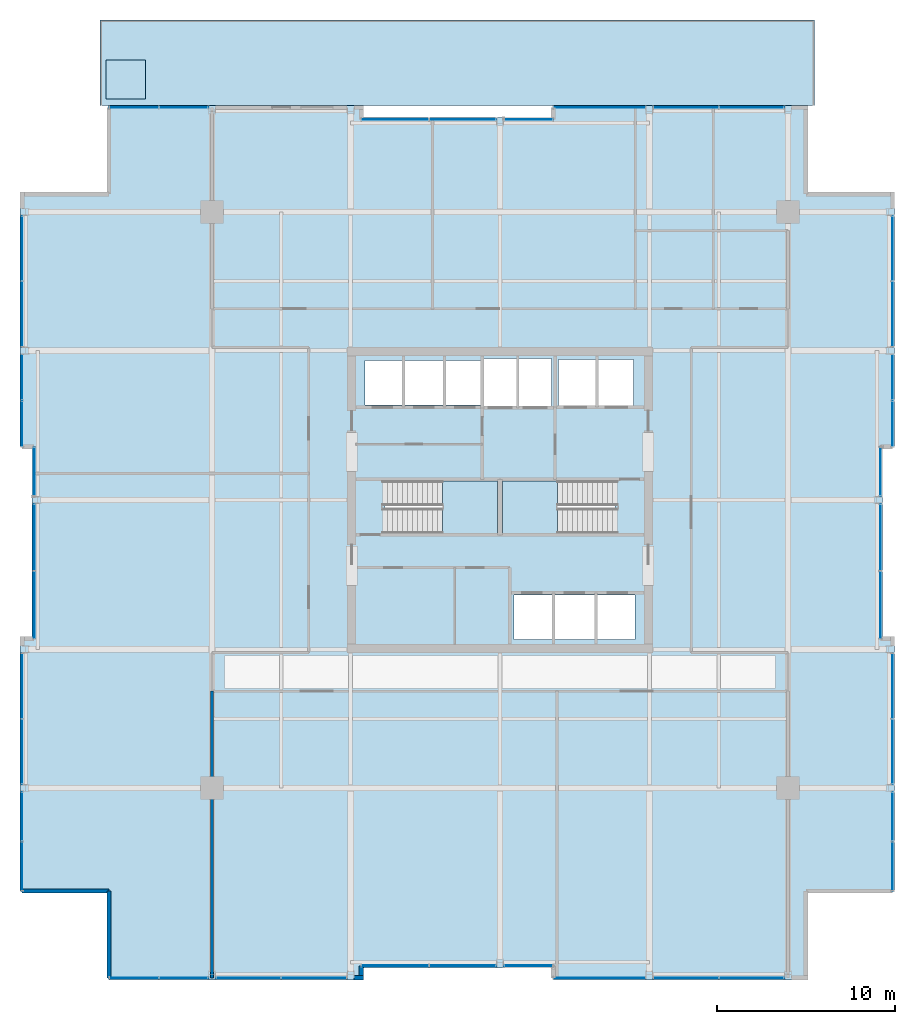
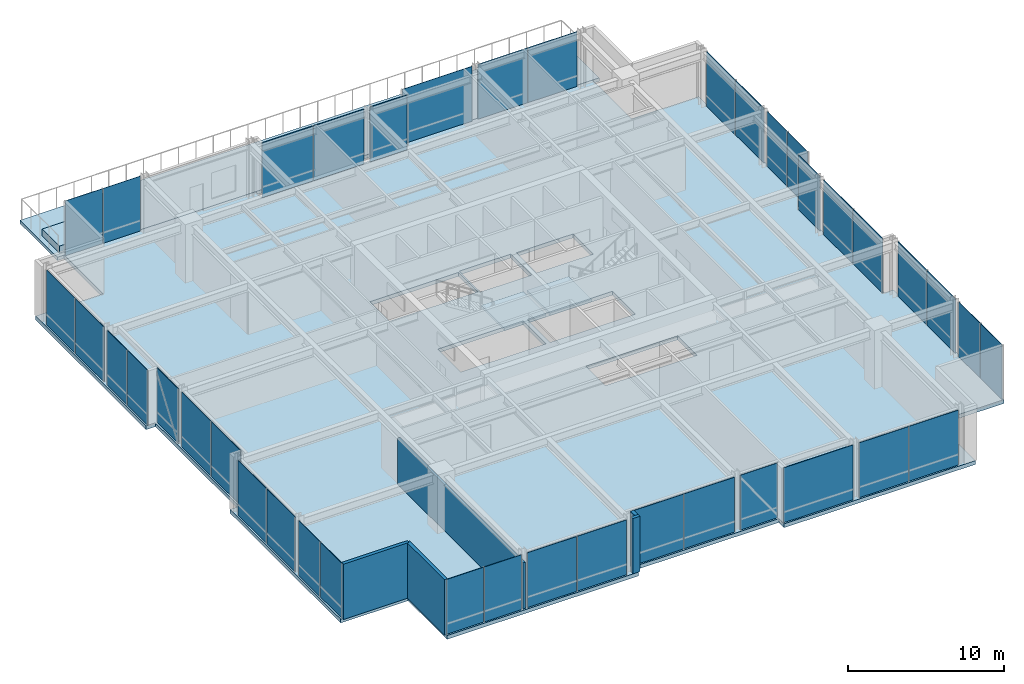
# One storey, part 26 of 32: 40 plates, 5 slabs, 5 walls, 25 elements without a shape of their own.
"""IFC4 building model written with IfcOpenShell, lengths in metres."""

from ifc_helpers import new_model, si_unit, direction, frame, frame_2d, origin, origin_2d, place, context, subcontext, project, spatial, polyline, rectangle, outline, extrude, material, layer, layer_set, type_object, element, aggregate, save


model = new_model("IFC4")

# Units and contexts
model_context = context("Model", 3, precision=1e-05, world=origin(), true_north=direction((0.0, 1.0)))
body_context = subcontext(model_context, "Body", "Model", "MODEL_VIEW")
ifc_project = project(units=[si_unit("LENGTHUNIT", "METRE"), si_unit("AREAUNIT", "SQUARE_METRE"), si_unit("VOLUMEUNIT", "CUBIC_METRE"), si_unit("PLANEANGLEUNIT", "RADIAN"), si_unit("MASSUNIT", "GRAM", prefix="KILO")], contexts=[model_context])

# Site, building, storey
site_placement = place(None, origin())
site = spatial("IfcSite", under=ifc_project, at=site_placement, CompositionType="ELEMENT")
building_placement = place(site_placement, origin())
building = spatial("IfcBuilding", under=site, at=building_placement, Name="Drelvath Grand Hotel", CompositionType="ELEMENT")
storey_placement = place(building_placement, frame((0.0, 0.0, 145.800048828125)))
storey = spatial("IfcBuildingStorey", under=building, at=storey_placement, Name="L37", CompositionType="ELEMENT", Elevation=145.800048828125)

# Slab
ifc_material_1 = material(Name="Concrete f'c 40 MPa", Category="concrete")
ifc_layer_1 = layer(ifc_material_1, 0.300048828125)
ifc_layer_set_1 = layer_set([ifc_layer_1], Name="Concrete f'c 40 MPa")
slab_type_1 = type_object("IfcSlabType", Name="Composite RC Floor Slab 300", PredefinedType="FLOOR", material=ifc_layer_set_1)
slab_1_placement = place(storey_placement, frame((0.0, 0.0, -0.300048828125)))
element("IfcSlab", 1, at=slab_1_placement, inside=storey, type_object=slab_type_1, Name="L37 Structural Floor Slab", PredefinedType="FLOOR", context=body_context, shape_type="SweptSolid", body=[
    extrude(outline(polyline([(-22.0, 0.0), (-7.800048828125, 0.0), (-7.800048828125, 0.679931640625), (3.0, 0.679931640625), (3.0, 0.0), (17.199951171875, 0.0), (17.199951171875, 5.0), (22.199951171875, 5.0), (22.199951171875, 19.199951171875), (21.52001953125, 19.199951171875), (21.52001953125, 30.0), (22.199951171875, 30.0), (22.199951171875, 44.199951171875), (17.199951171875, 44.199951171875), (17.199951171875, 49.199951171875), (3.0, 49.199951171875), (3.0, 48.52001953125), (-7.800048828125, 48.52001953125), (-7.800048828125, 49.199951171875), (-22.0, 49.199951171875), (-22.0, 44.199951171875), (-27.0, 44.199951171875), (-27.0, 30.0), (-26.320068359375, 30.0), (-26.320068359375, 19.199951171875), (-27.0, 19.199951171875), (-27.0, 5.0), (-22.0, 5.0), (-22.0, 0.0)]), holes=[polyline([(-6.47998046875, 25.1201171875), (-6.47998046875, 28.080078125), (-0.14990234375, 28.080078125), (-0.14990234375, 25.1201171875), (-6.47998046875, 25.1201171875)]), polyline([(0.14990234375, 25.1201171875), (0.14990234375, 28.080078125), (6.47998046875, 28.080078125), (6.47998046875, 25.1201171875), (0.14990234375, 25.1201171875)]), polyline([(0.800048828125, 19.14990234375), (0.800048828125, 21.64990234375), (7.60009765625, 21.64990234375), (7.60009765625, 19.14990234375), (0.800048828125, 19.14990234375)]), polyline([(-7.60009765625, 32.35009765625), (-7.60009765625, 34.85009765625), (-1.02001953125, 34.85009765625), (-1.02001953125, 32.35009765625), (-7.60009765625, 32.35009765625)]), polyline([(-0.89990234375, 32.25), (-0.89990234375, 34.949951171875), (2.89990234375, 34.949951171875), (2.89990234375, 32.25), (-0.89990234375, 32.25)]), polyline([(3.300048828125, 32.300048828125), (3.300048828125, 34.89990234375), (7.5, 34.89990234375), (7.5, 32.300048828125), (3.300048828125, 32.300048828125)])]), origin(), (0.0, 0.0, 1.0), 0.300048828125),
])

# Stair, slab
ifc_material_2 = material(Name="Concrete C40/50", Category="concrete")
stair_type = type_object("IfcStairType", Name="Dogleg Exit Stair W1400-R176.9", PredefinedType="HALF_TURN_STAIR", material=ifc_material_2)
stair_1_placement = place(storey_placement, origin())
stair_1 = element("IfcStair", 2, at=stair_1_placement, inside=storey, type_object=stair_type, Name="L37 Core Exit Stair ST-1", PredefinedType="HALF_TURN_STAIR")
ifc_layer_2 = layer(ifc_material_2, 0.199951171875)
ifc_layer_set_2 = layer_set([ifc_layer_2], Name="Concrete C40/50")
slab_type_2 = type_object("IfcSlabType", Name="Concrete Stair Landing Slab 200", PredefinedType="LANDING", material=ifc_layer_set_2)
slab_2_placement = place(storey_placement, frame((0.0, 0.0, 2.099853515625)))
slab_2 = element("IfcSlab", 3, at=slab_2_placement, type_object=slab_type_2, Name="ST-1 landing 1", PredefinedType="LANDING", context=body_context, shape_type="SweptSolid", body=[
    extrude(outline(polyline([(-3.239990234375, 25.1201171875), (-0.14990234375, 25.1201171875), (-0.14990234375, 28.080078125), (-3.239990234375, 28.080078125), (-3.239990234375, 25.1201171875)])), origin(), (0.0, 0.0, 1.0), 0.2001953125),
])
aggregate(stair_1, [slab_2])

stair_2_placement = place(storey_placement, origin())
stair_2 = element("IfcStair", 4, at=stair_2_placement, inside=storey, type_object=stair_type, Name="L37 Core Exit Stair ST-2", PredefinedType="HALF_TURN_STAIR")
slab_3_placement = place(storey_placement, frame((0.0, 0.0, 2.099853515625)))
slab_3 = element("IfcSlab", 5, at=slab_3_placement, type_object=slab_type_2, Name="ST-2 landing 1", PredefinedType="LANDING", context=body_context, shape_type="SweptSolid", body=[
    extrude(outline(polyline([(3.239990234375, 28.080078125), (0.14990234375, 28.080078125), (0.14990234375, 25.1201171875), (3.239990234375, 25.1201171875), (3.239990234375, 28.080078125)])), origin(), (0.0, 0.0, 1.0), 0.2001953125),
])
aggregate(stair_2, [slab_3])

# Curtain wall, plates
ifc_material_3 = material(Name="Brushed Pale-Silver Anodised Aluminium Frame", Category="aluminium")
ifc_layer_3 = layer(ifc_material_3, 0.199951171875)
ifc_layer_set_3 = layer_set([ifc_layer_3], Name="Brushed Pale-Silver Anodised Aluminium Frame")
curtain_wall_type = type_object("IfcCurtainWallType", Name="Stick Curtain Wall CW-04 Brushed Silver Upper-Mid", PredefinedType="NOTDEFINED", material=ifc_layer_set_3)
curtain_wall_1_placement = place(storey_placement, origin())
curtain_wall_1 = element("IfcCurtainWall", 6, at=curtain_wall_1_placement, inside=storey, type_object=curtain_wall_type, Name="L37 CW-04 Curtain Wall CW04-L37-WS1", PredefinedType="NOTDEFINED")
ifc_material_4 = material(Name="Low-E Triple Silver Vision Glass Cool", Category="glass")
ifc_layer_4 = layer(ifc_material_4, 0.035888671875)
ifc_layer_set_4 = layer_set([ifc_layer_4], Name="Low-E Triple Silver Vision Glass Cool")
plate_type = type_object("IfcPlateType", Name="Curtain Wall Vision Panel CW-04 36mm", PredefinedType="CURTAIN_PANEL", material=ifc_layer_set_4)
plate_1_placement = place(storey_placement, frame((-26.8798828125, 6.39990234375, 0.02001953125), z_axis=(0.0, 0.0, 1.0), x_axis=(0.0, 1.0, 0.0)))
plate_1 = element("IfcPlate", 7, at=plate_1_placement, type_object=plate_type, Name="CW04-L37-WS1 Glazed Panel 1", PredefinedType="CURTAIN_PANEL", context=body_context, shape_type="SweptSolid", body=[
    extrude(rectangle(XDim=2.760009765625, YDim=0.035888671875, at=origin_2d()), origin(), (0.0, 0.0, 1.0), 4.300048828125),
])
plate_2_placement = place(storey_placement, frame((-26.8798828125, 9.199951171875, 0.02001953125), z_axis=(0.0, 0.0, 1.0), x_axis=(0.0, 1.0, 0.0)))
plate_2 = element("IfcPlate", 8, at=plate_2_placement, type_object=plate_type, Name="CW04-L37-WS1 Glazed Panel 2", PredefinedType="CURTAIN_PANEL", context=body_context, shape_type="SweptSolid", body=[
    extrude(rectangle(XDim=2.760009765625, YDim=0.035888671875, at=origin_2d()), origin(), (0.0, 0.0, 1.0), 4.300048828125),
])
aggregate(curtain_wall_1, [plate_1, plate_2])

curtain_wall_2_placement = place(storey_placement, origin())
curtain_wall_2 = element("IfcCurtainWall", 9, at=curtain_wall_2_placement, inside=storey, type_object=curtain_wall_type, Name="L37 CW-04 Curtain Wall CW04-L37-WS2", PredefinedType="NOTDEFINED")
plate_3_placement = place(storey_placement, frame((-26.8798828125, 12.85009765625, 0.02001953125), z_axis=(0.0, 0.0, 1.0), x_axis=(0.0, 1.0, 0.0)))
plate_3 = element("IfcPlate", 10, at=plate_3_placement, type_object=plate_type, Name="CW04-L37-WS2 Glazed Panel 1", PredefinedType="CURTAIN_PANEL", context=body_context, shape_type="SweptSolid", body=[
    extrude(rectangle(XDim=3.659912109375, YDim=0.035888671875, at=origin_2d()), origin(), (0.0, 0.0, 1.0), 4.300048828125),
])
plate_4_placement = place(storey_placement, frame((-26.8798828125, 16.550048828125, 0.02001953125), z_axis=(0.0, 0.0, 1.0), x_axis=(0.0, 1.0, 0.0)))
plate_4 = element("IfcPlate", 11, at=plate_4_placement, type_object=plate_type, Name="CW04-L37-WS2 Glazed Panel 2", PredefinedType="CURTAIN_PANEL", context=body_context, shape_type="SweptSolid", body=[
    extrude(rectangle(XDim=3.659912109375, YDim=0.035888671875, at=origin_2d()), origin(), (0.0, 0.0, 1.0), 4.300048828125),
])
aggregate(curtain_wall_2, [plate_3, plate_4])

curtain_wall_3_placement = place(storey_placement, origin())
curtain_wall_3 = element("IfcCurtainWall", 12, at=curtain_wall_3_placement, inside=storey, type_object=curtain_wall_type, Name="L37 CW-04 Curtain Wall CW04-L37-WM1", PredefinedType="NOTDEFINED")
plate_5_placement = place(storey_placement, frame((-26.199951171875, 21.099853515625, 0.02001953125), z_axis=(0.0, 0.0, 1.0), x_axis=(0.0, 1.0, 0.0)))
plate_5 = element("IfcPlate", 13, at=plate_5_placement, type_object=plate_type, Name="CW04-L37-WM1 Glazed Panel 1", PredefinedType="CURTAIN_PANEL", context=body_context, shape_type="SweptSolid", body=[
    extrude(rectangle(XDim=3.760009765625, YDim=0.035888671875, at=origin_2d()), origin(), (0.0, 0.0, 1.0), 4.300048828125),
])
plate_6_placement = place(storey_placement, frame((-26.199951171875, 24.89990234375, 0.02001953125), z_axis=(0.0, 0.0, 1.0), x_axis=(0.0, 1.0, 0.0)))
plate_6 = element("IfcPlate", 14, at=plate_6_placement, type_object=plate_type, Name="CW04-L37-WM1 Glazed Panel 2", PredefinedType="CURTAIN_PANEL", context=body_context, shape_type="SweptSolid", body=[
    extrude(rectangle(XDim=3.760009765625, YDim=0.035888671875, at=origin_2d()), origin(), (0.0, 0.0, 1.0), 4.300048828125),
])
aggregate(curtain_wall_3, [plate_5, plate_6])

# Curtain wall, plate
curtain_wall_4_placement = place(storey_placement, origin())
curtain_wall_4 = element("IfcCurtainWall", 15, at=curtain_wall_4_placement, inside=storey, type_object=curtain_wall_type, Name="L37 CW-04 Curtain Wall CW04-L37-WM2", PredefinedType="NOTDEFINED")
plate_7_placement = place(storey_placement, frame((-26.199951171875, 28.60009765625, 0.02001953125), z_axis=(0.0, 0.0, 1.0), x_axis=(0.0, 1.0, 0.0)))
plate_7 = element("IfcPlate", 16, at=plate_7_placement, type_object=plate_type, Name="CW04-L37-WM2 Glazed Panel 1", PredefinedType="CURTAIN_PANEL", context=body_context, shape_type="SweptSolid", body=[
    extrude(rectangle(XDim=2.760009765625, YDim=0.035888671875, at=origin_2d()), origin(), (0.0, 0.0, 1.0), 4.300048828125),
])
aggregate(curtain_wall_4, [plate_7])

# Curtain wall, plates
curtain_wall_5_placement = place(storey_placement, origin())
curtain_wall_5 = element("IfcCurtainWall", 17, at=curtain_wall_5_placement, inside=storey, type_object=curtain_wall_type, Name="L37 CW-04 Curtain Wall CW04-L37-WN1", PredefinedType="NOTDEFINED")
plate_8_placement = place(storey_placement, frame((-26.8798828125, 31.300048828125, 0.02001953125), z_axis=(0.0, 0.0, 1.0), x_axis=(0.0, 1.0, 0.0)))
plate_8 = element("IfcPlate", 18, at=plate_8_placement, type_object=plate_type, Name="CW04-L37-WN1 Glazed Panel 1", PredefinedType="CURTAIN_PANEL", context=body_context, shape_type="SweptSolid", body=[
    extrude(rectangle(XDim=2.56005859375, YDim=0.035888671875, at=origin_2d()), origin(), (0.0, 0.0, 1.0), 4.300048828125),
])
plate_9_placement = place(storey_placement, frame((-26.8798828125, 33.89990234375, 0.02001953125), z_axis=(0.0, 0.0, 1.0), x_axis=(0.0, 1.0, 0.0)))
plate_9 = element("IfcPlate", 19, at=plate_9_placement, type_object=plate_type, Name="CW04-L37-WN1 Glazed Panel 2", PredefinedType="CURTAIN_PANEL", context=body_context, shape_type="SweptSolid", body=[
    extrude(rectangle(XDim=2.56005859375, YDim=0.035888671875, at=origin_2d()), origin(), (0.0, 0.0, 1.0), 4.300048828125),
])
aggregate(curtain_wall_5, [plate_8, plate_9])

curtain_wall_6_placement = place(storey_placement, origin())
curtain_wall_6 = element("IfcCurtainWall", 20, at=curtain_wall_6_placement, inside=storey, type_object=curtain_wall_type, Name="L37 CW-04 Curtain Wall CW04-L37-WN2", PredefinedType="NOTDEFINED")
plate_10_placement = place(storey_placement, frame((-26.8798828125, 37.449951171875, 0.02001953125), z_axis=(0.0, 0.0, 1.0), x_axis=(0.0, 1.0, 0.0)))
plate_10 = element("IfcPlate", 21, at=plate_10_placement, type_object=plate_type, Name="CW04-L37-WN2 Glazed Panel 1", PredefinedType="CURTAIN_PANEL", context=body_context, shape_type="SweptSolid", body=[
    extrude(rectangle(XDim=3.659912109375, YDim=0.035888671875, at=origin_2d()), origin(), (0.0, 0.0, 1.0), 4.300048828125),
])
plate_11_placement = place(storey_placement, frame((-26.8798828125, 41.14990234375, 0.02001953125), z_axis=(0.0, 0.0, 1.0), x_axis=(0.0, 1.0, 0.0)))
plate_11 = element("IfcPlate", 22, at=plate_11_placement, type_object=plate_type, Name="CW04-L37-WN2 Glazed Panel 2", PredefinedType="CURTAIN_PANEL", context=body_context, shape_type="SweptSolid", body=[
    extrude(rectangle(XDim=3.659912109375, YDim=0.035888671875, at=origin_2d()), origin(), (0.0, 0.0, 1.0), 4.300048828125),
])
aggregate(curtain_wall_6, [plate_10, plate_11])

curtain_wall_7_placement = place(storey_placement, origin())
curtain_wall_7 = element("IfcCurtainWall", 23, at=curtain_wall_7_placement, inside=storey, type_object=curtain_wall_type, Name="L37 CW-04 Curtain Wall CW04-L37-EN1", PredefinedType="NOTDEFINED")
plate_12_placement = place(storey_placement, frame((22.080078125, 33.89990234375, 0.02001953125), z_axis=(0.0, 0.0, 1.0), x_axis=(0.0, -1.0, 0.0)))
plate_12 = element("IfcPlate", 24, at=plate_12_placement, type_object=plate_type, Name="CW04-L37-EN1 Glazed Panel 1", PredefinedType="CURTAIN_PANEL", context=body_context, shape_type="SweptSolid", body=[
    extrude(rectangle(XDim=2.56005859375, YDim=0.035888671875, at=origin_2d()), origin(), (0.0, 0.0, 1.0), 4.300048828125),
])
plate_13_placement = place(storey_placement, frame((22.080078125, 31.300048828125, 0.02001953125), z_axis=(0.0, 0.0, 1.0), x_axis=(0.0, -1.0, 0.0)))
plate_13 = element("IfcPlate", 25, at=plate_13_placement, type_object=plate_type, Name="CW04-L37-EN1 Glazed Panel 2", PredefinedType="CURTAIN_PANEL", context=body_context, shape_type="SweptSolid", body=[
    extrude(rectangle(XDim=2.56005859375, YDim=0.035888671875, at=origin_2d()), origin(), (0.0, 0.0, 1.0), 4.300048828125),
])
aggregate(curtain_wall_7, [plate_12, plate_13])

curtain_wall_8_placement = place(storey_placement, origin())
curtain_wall_8 = element("IfcCurtainWall", 26, at=curtain_wall_8_placement, inside=storey, type_object=curtain_wall_type, Name="L37 CW-04 Curtain Wall CW04-L37-EN2", PredefinedType="NOTDEFINED")
plate_14_placement = place(storey_placement, frame((22.080078125, 41.14990234375, 0.02001953125), z_axis=(0.0, 0.0, 1.0), x_axis=(0.0, -1.0, 0.0)))
plate_14 = element("IfcPlate", 27, at=plate_14_placement, type_object=plate_type, Name="CW04-L37-EN2 Glazed Panel 1", PredefinedType="CURTAIN_PANEL", context=body_context, shape_type="SweptSolid", body=[
    extrude(rectangle(XDim=3.659912109375, YDim=0.035888671875, at=origin_2d()), origin(), (0.0, 0.0, 1.0), 4.300048828125),
])
plate_15_placement = place(storey_placement, frame((22.080078125, 37.449951171875, 0.02001953125), z_axis=(0.0, 0.0, 1.0), x_axis=(0.0, -1.0, 0.0)))
plate_15 = element("IfcPlate", 28, at=plate_15_placement, type_object=plate_type, Name="CW04-L37-EN2 Glazed Panel 2", PredefinedType="CURTAIN_PANEL", context=body_context, shape_type="SweptSolid", body=[
    extrude(rectangle(XDim=3.659912109375, YDim=0.035888671875, at=origin_2d()), origin(), (0.0, 0.0, 1.0), 4.300048828125),
])
aggregate(curtain_wall_8, [plate_14, plate_15])

curtain_wall_9_placement = place(storey_placement, origin())
curtain_wall_9 = element("IfcCurtainWall", 29, at=curtain_wall_9_placement, inside=storey, type_object=curtain_wall_type, Name="L37 CW-04 Curtain Wall CW04-L37-EM1", PredefinedType="NOTDEFINED")
plate_16_placement = place(storey_placement, frame((21.39990234375, 24.89990234375, 0.02001953125), z_axis=(0.0, 0.0, 1.0), x_axis=(0.0, -1.0, 0.0)))
plate_16 = element("IfcPlate", 30, at=plate_16_placement, type_object=plate_type, Name="CW04-L37-EM1 Glazed Panel 1", PredefinedType="CURTAIN_PANEL", context=body_context, shape_type="SweptSolid", body=[
    extrude(rectangle(XDim=3.760009765625, YDim=0.035888671875, at=origin_2d()), origin(), (0.0, 0.0, 1.0), 4.300048828125),
])
plate_17_placement = place(storey_placement, frame((21.39990234375, 21.099853515625, 0.02001953125), z_axis=(0.0, 0.0, 1.0), x_axis=(0.0, -1.0, 0.0)))
plate_17 = element("IfcPlate", 31, at=plate_17_placement, type_object=plate_type, Name="CW04-L37-EM1 Glazed Panel 2", PredefinedType="CURTAIN_PANEL", context=body_context, shape_type="SweptSolid", body=[
    extrude(rectangle(XDim=3.760009765625, YDim=0.035888671875, at=origin_2d()), origin(), (0.0, 0.0, 1.0), 4.300048828125),
])
aggregate(curtain_wall_9, [plate_16, plate_17])

# Curtain wall, plate
curtain_wall_10_placement = place(storey_placement, origin())
curtain_wall_10 = element("IfcCurtainWall", 32, at=curtain_wall_10_placement, inside=storey, type_object=curtain_wall_type, Name="L37 CW-04 Curtain Wall CW04-L37-EM2", PredefinedType="NOTDEFINED")
plate_18_placement = place(storey_placement, frame((21.39990234375, 28.60009765625, 0.02001953125), z_axis=(0.0, 0.0, 1.0), x_axis=(0.0, -1.0, 0.0)))
plate_18 = element("IfcPlate", 33, at=plate_18_placement, type_object=plate_type, Name="CW04-L37-EM2 Glazed Panel 1", PredefinedType="CURTAIN_PANEL", context=body_context, shape_type="SweptSolid", body=[
    extrude(rectangle(XDim=2.760009765625, YDim=0.035888671875, at=origin_2d()), origin(), (0.0, 0.0, 1.0), 4.300048828125),
])
aggregate(curtain_wall_10, [plate_18])

# Curtain wall, plates
curtain_wall_11_placement = place(storey_placement, origin())
curtain_wall_11 = element("IfcCurtainWall", 34, at=curtain_wall_11_placement, inside=storey, type_object=curtain_wall_type, Name="L37 CW-04 Curtain Wall CW04-L37-ES1", PredefinedType="NOTDEFINED")
plate_19_placement = place(storey_placement, frame((22.080078125, 9.199951171875, 0.02001953125), z_axis=(0.0, 0.0, 1.0), x_axis=(0.0, -1.0, 0.0)))
plate_19 = element("IfcPlate", 35, at=plate_19_placement, type_object=plate_type, Name="CW04-L37-ES1 Glazed Panel 1", PredefinedType="CURTAIN_PANEL", context=body_context, shape_type="SweptSolid", body=[
    extrude(rectangle(XDim=2.760009765625, YDim=0.035888671875, at=origin_2d()), origin(), (0.0, 0.0, 1.0), 4.300048828125),
])
plate_20_placement = place(storey_placement, frame((22.080078125, 6.39990234375, 0.02001953125), z_axis=(0.0, 0.0, 1.0), x_axis=(0.0, -1.0, 0.0)))
plate_20 = element("IfcPlate", 36, at=plate_20_placement, type_object=plate_type, Name="CW04-L37-ES1 Glazed Panel 2", PredefinedType="CURTAIN_PANEL", context=body_context, shape_type="SweptSolid", body=[
    extrude(rectangle(XDim=2.760009765625, YDim=0.035888671875, at=origin_2d()), origin(), (0.0, 0.0, 1.0), 4.300048828125),
])
aggregate(curtain_wall_11, [plate_19, plate_20])

curtain_wall_12_placement = place(storey_placement, origin())
curtain_wall_12 = element("IfcCurtainWall", 37, at=curtain_wall_12_placement, inside=storey, type_object=curtain_wall_type, Name="L37 CW-04 Curtain Wall CW04-L37-ES2", PredefinedType="NOTDEFINED")
plate_21_placement = place(storey_placement, frame((22.080078125, 16.550048828125, 0.02001953125), z_axis=(0.0, 0.0, 1.0), x_axis=(0.0, -1.0, 0.0)))
plate_21 = element("IfcPlate", 38, at=plate_21_placement, type_object=plate_type, Name="CW04-L37-ES2 Glazed Panel 1", PredefinedType="CURTAIN_PANEL", context=body_context, shape_type="SweptSolid", body=[
    extrude(rectangle(XDim=3.659912109375, YDim=0.035888671875, at=origin_2d()), origin(), (0.0, 0.0, 1.0), 4.300048828125),
])
plate_22_placement = place(storey_placement, frame((22.080078125, 12.85009765625, 0.02001953125), z_axis=(0.0, 0.0, 1.0), x_axis=(0.0, -1.0, 0.0)))
plate_22 = element("IfcPlate", 39, at=plate_22_placement, type_object=plate_type, Name="CW04-L37-ES2 Glazed Panel 2", PredefinedType="CURTAIN_PANEL", context=body_context, shape_type="SweptSolid", body=[
    extrude(rectangle(XDim=3.659912109375, YDim=0.035888671875, at=origin_2d()), origin(), (0.0, 0.0, 1.0), 4.300048828125),
])
aggregate(curtain_wall_12, [plate_21, plate_22])

curtain_wall_13_placement = place(storey_placement, origin())
curtain_wall_13 = element("IfcCurtainWall", 40, at=curtain_wall_13_placement, inside=storey, type_object=curtain_wall_type, Name="L37 CW-04 Curtain Wall CW04-L37-NW1", PredefinedType="NOTDEFINED")
plate_23_placement = place(storey_placement, frame((-20.60009765625, 49.080078125, 0.02001953125), z_axis=(0.0, 0.0, 1.0), x_axis=(1.0, 0.0, 0.0)))
plate_23 = element("IfcPlate", 41, at=plate_23_placement, type_object=plate_type, Name="CW04-L37-NW1 Glazed Panel 1", PredefinedType="CURTAIN_PANEL", context=body_context, shape_type="SweptSolid", body=[
    extrude(rectangle(XDim=2.760009765625, YDim=0.035888671875, at=origin_2d()), origin(), (0.0, 0.0, 1.0), 4.300048828125),
])
plate_24_placement = place(storey_placement, frame((-17.800048828125, 49.080078125, 0.02001953125), z_axis=(0.0, 0.0, 1.0), x_axis=(1.0, 0.0, 0.0)))
plate_24 = element("IfcPlate", 42, at=plate_24_placement, type_object=plate_type, Name="CW04-L37-NW1 Glazed Panel 2", PredefinedType="CURTAIN_PANEL", context=body_context, shape_type="SweptSolid", body=[
    extrude(rectangle(XDim=2.760009765625, YDim=0.035888671875, at=origin_2d()), origin(), (0.0, 0.0, 1.0), 4.300048828125),
])
aggregate(curtain_wall_13, [plate_23, plate_24])

curtain_wall_14_placement = place(storey_placement, origin())
curtain_wall_14 = element("IfcCurtainWall", 43, at=curtain_wall_14_placement, inside=storey, type_object=curtain_wall_type, Name="L37 CW-04 Curtain Wall CW04-L37-NM1", PredefinedType="NOTDEFINED")
plate_25_placement = place(storey_placement, frame((-5.89990234375, 48.39990234375, 0.02001953125), z_axis=(0.0, 0.0, 1.0), x_axis=(1.0, 0.0, 0.0)))
plate_25 = element("IfcPlate", 44, at=plate_25_placement, type_object=plate_type, Name="CW04-L37-NM1 Glazed Panel 1", PredefinedType="CURTAIN_PANEL", context=body_context, shape_type="SweptSolid", body=[
    extrude(rectangle(XDim=3.760009765625, YDim=0.035888671875, at=origin_2d()), origin(), (0.0, 0.0, 1.0), 4.300048828125),
])
plate_26_placement = place(storey_placement, frame((-2.10009765625, 48.39990234375, 0.02001953125), z_axis=(0.0, 0.0, 1.0), x_axis=(1.0, 0.0, 0.0)))
plate_26 = element("IfcPlate", 45, at=plate_26_placement, type_object=plate_type, Name="CW04-L37-NM1 Glazed Panel 2", PredefinedType="CURTAIN_PANEL", context=body_context, shape_type="SweptSolid", body=[
    extrude(rectangle(XDim=3.760009765625, YDim=0.035888671875, at=origin_2d()), origin(), (0.0, 0.0, 1.0), 4.300048828125),
])
aggregate(curtain_wall_14, [plate_25, plate_26])

# Curtain wall, plate
curtain_wall_15_placement = place(storey_placement, origin())
curtain_wall_15 = element("IfcCurtainWall", 46, at=curtain_wall_15_placement, inside=storey, type_object=curtain_wall_type, Name="L37 CW-04 Curtain Wall CW04-L37-NM2", PredefinedType="NOTDEFINED")
plate_27_placement = place(storey_placement, frame((1.60009765625, 48.39990234375, 0.02001953125), z_axis=(0.0, 0.0, 1.0), x_axis=(1.0, 0.0, 0.0)))
plate_27 = element("IfcPlate", 47, at=plate_27_placement, type_object=plate_type, Name="CW04-L37-NM2 Glazed Panel 1", PredefinedType="CURTAIN_PANEL", context=body_context, shape_type="SweptSolid", body=[
    extrude(rectangle(XDim=2.760009765625, YDim=0.035888671875, at=origin_2d()), origin(), (0.0, 0.0, 1.0), 4.300048828125),
])
aggregate(curtain_wall_15, [plate_27])

curtain_wall_16_placement = place(storey_placement, origin())
curtain_wall_16 = element("IfcCurtainWall", 48, at=curtain_wall_16_placement, inside=storey, type_object=curtain_wall_type, Name="L37 CW-04 Curtain Wall CW04-L37-NE1", PredefinedType="NOTDEFINED")
plate_28_placement = place(storey_placement, frame((5.599853515625, 49.080078125, 0.02001953125), z_axis=(0.0, 0.0, 1.0), x_axis=(1.0, 0.0, 0.0)))
plate_28 = element("IfcPlate", 49, at=plate_28_placement, type_object=plate_type, Name="CW04-L37-NE1 Glazed Panel 1", PredefinedType="CURTAIN_PANEL", context=body_context, shape_type="SweptSolid", body=[
    extrude(rectangle(XDim=5.159912109375, YDim=0.035888671875, at=origin_2d()), origin(), (0.0, 0.0, 1.0), 4.300048828125),
])
aggregate(curtain_wall_16, [plate_28])

# Curtain wall, plates
curtain_wall_17_placement = place(storey_placement, origin())
curtain_wall_17 = element("IfcCurtainWall", 50, at=curtain_wall_17_placement, inside=storey, type_object=curtain_wall_type, Name="L37 CW-04 Curtain Wall CW04-L37-NE2", PredefinedType="NOTDEFINED")
plate_29_placement = place(storey_placement, frame((10.4501953125, 49.080078125, 0.02001953125), z_axis=(0.0, 0.0, 1.0), x_axis=(1.0, 0.0, 0.0)))
plate_29 = element("IfcPlate", 51, at=plate_29_placement, type_object=plate_type, Name="CW04-L37-NE2 Glazed Panel 1", PredefinedType="CURTAIN_PANEL", context=body_context, shape_type="SweptSolid", body=[
    extrude(rectangle(XDim=3.659912109375, YDim=0.035888671875, at=origin_2d()), origin(), (0.0, 0.0, 1.0), 4.300048828125),
])
plate_30_placement = place(storey_placement, frame((14.14990234375, 49.080078125, 0.02001953125), z_axis=(0.0, 0.0, 1.0), x_axis=(1.0, 0.0, 0.0)))
plate_30 = element("IfcPlate", 52, at=plate_30_placement, type_object=plate_type, Name="CW04-L37-NE2 Glazed Panel 2", PredefinedType="CURTAIN_PANEL", context=body_context, shape_type="SweptSolid", body=[
    extrude(rectangle(XDim=3.659912109375, YDim=0.035888671875, at=origin_2d()), origin(), (0.0, 0.0, 1.0), 4.300048828125),
])
aggregate(curtain_wall_17, [plate_29, plate_30])

# Curtain wall, plate
curtain_wall_18_placement = place(storey_placement, origin())
curtain_wall_18 = element("IfcCurtainWall", 53, at=curtain_wall_18_placement, inside=storey, type_object=curtain_wall_type, Name="L37 CW-04 Curtain Wall CW04-L37-SE1", PredefinedType="NOTDEFINED")
plate_31_placement = place(storey_placement, frame((5.599853515625, 0.1201171875, 0.02001953125), z_axis=(0.0, 0.0, 1.0), x_axis=(-1.0, 0.0, 0.0)))
plate_31 = element("IfcPlate", 54, at=plate_31_placement, type_object=plate_type, Name="CW04-L37-SE1 Glazed Panel 1", PredefinedType="CURTAIN_PANEL", context=body_context, shape_type="SweptSolid", body=[
    extrude(rectangle(XDim=5.159912109375, YDim=0.035888671875, at=origin_2d()), origin(), (0.0, 0.0, 1.0), 4.300048828125),
])
aggregate(curtain_wall_18, [plate_31])

# Curtain wall, plates
curtain_wall_19_placement = place(storey_placement, origin())
curtain_wall_19 = element("IfcCurtainWall", 55, at=curtain_wall_19_placement, inside=storey, type_object=curtain_wall_type, Name="L37 CW-04 Curtain Wall CW04-L37-SE2", PredefinedType="NOTDEFINED")
plate_32_placement = place(storey_placement, frame((14.14990234375, 0.1201171875, 0.02001953125), z_axis=(0.0, 0.0, 1.0), x_axis=(-1.0, 0.0, 0.0)))
plate_32 = element("IfcPlate", 56, at=plate_32_placement, type_object=plate_type, Name="CW04-L37-SE2 Glazed Panel 1", PredefinedType="CURTAIN_PANEL", context=body_context, shape_type="SweptSolid", body=[
    extrude(rectangle(XDim=3.659912109375, YDim=0.035888671875, at=origin_2d()), origin(), (0.0, 0.0, 1.0), 4.300048828125),
])
plate_33_placement = place(storey_placement, frame((10.4501953125, 0.1201171875, 0.02001953125), z_axis=(0.0, 0.0, 1.0), x_axis=(-1.0, 0.0, 0.0)))
plate_33 = element("IfcPlate", 57, at=plate_33_placement, type_object=plate_type, Name="CW04-L37-SE2 Glazed Panel 2", PredefinedType="CURTAIN_PANEL", context=body_context, shape_type="SweptSolid", body=[
    extrude(rectangle(XDim=3.659912109375, YDim=0.035888671875, at=origin_2d()), origin(), (0.0, 0.0, 1.0), 4.300048828125),
])
aggregate(curtain_wall_19, [plate_32, plate_33])

curtain_wall_20_placement = place(storey_placement, origin())
curtain_wall_20 = element("IfcCurtainWall", 58, at=curtain_wall_20_placement, inside=storey, type_object=curtain_wall_type, Name="L37 CW-04 Curtain Wall CW04-L37-SM1", PredefinedType="NOTDEFINED")
plate_34_placement = place(storey_placement, frame((-2.10009765625, 0.800048828125, 0.02001953125), z_axis=(0.0, 0.0, 1.0), x_axis=(-1.0, 0.0, 0.0)))
plate_34 = element("IfcPlate", 59, at=plate_34_placement, type_object=plate_type, Name="CW04-L37-SM1 Glazed Panel 1", PredefinedType="CURTAIN_PANEL", context=body_context, shape_type="SweptSolid", body=[
    extrude(rectangle(XDim=3.760009765625, YDim=0.035888671875, at=origin_2d()), origin(), (0.0, 0.0, 1.0), 4.300048828125),
])
plate_35_placement = place(storey_placement, frame((-5.89990234375, 0.800048828125, 0.02001953125), z_axis=(0.0, 0.0, 1.0), x_axis=(-1.0, 0.0, 0.0)))
plate_35 = element("IfcPlate", 60, at=plate_35_placement, type_object=plate_type, Name="CW04-L37-SM1 Glazed Panel 2", PredefinedType="CURTAIN_PANEL", context=body_context, shape_type="SweptSolid", body=[
    extrude(rectangle(XDim=3.760009765625, YDim=0.035888671875, at=origin_2d()), origin(), (0.0, 0.0, 1.0), 4.300048828125),
])
aggregate(curtain_wall_20, [plate_34, plate_35])

# Curtain wall, plate
curtain_wall_21_placement = place(storey_placement, origin())
curtain_wall_21 = element("IfcCurtainWall", 61, at=curtain_wall_21_placement, inside=storey, type_object=curtain_wall_type, Name="L37 CW-04 Curtain Wall CW04-L37-SM2", PredefinedType="NOTDEFINED")
plate_36_placement = place(storey_placement, frame((1.60009765625, 0.800048828125, 0.02001953125), z_axis=(0.0, 0.0, 1.0), x_axis=(-1.0, 0.0, 0.0)))
plate_36 = element("IfcPlate", 62, at=plate_36_placement, type_object=plate_type, Name="CW04-L37-SM2 Glazed Panel 1", PredefinedType="CURTAIN_PANEL", context=body_context, shape_type="SweptSolid", body=[
    extrude(rectangle(XDim=2.760009765625, YDim=0.035888671875, at=origin_2d()), origin(), (0.0, 0.0, 1.0), 4.300048828125),
])
aggregate(curtain_wall_21, [plate_36])

# Curtain wall, plates
curtain_wall_22_placement = place(storey_placement, origin())
curtain_wall_22 = element("IfcCurtainWall", 63, at=curtain_wall_22_placement, inside=storey, type_object=curtain_wall_type, Name="L37 CW-04 Curtain Wall CW04-L37-SW1", PredefinedType="NOTDEFINED")
plate_37_placement = place(storey_placement, frame((-17.800048828125, 0.1201171875, 0.02001953125), z_axis=(0.0, 0.0, 1.0), x_axis=(-1.0, 0.0, 0.0)))
plate_37 = element("IfcPlate", 64, at=plate_37_placement, type_object=plate_type, Name="CW04-L37-SW1 Glazed Panel 1", PredefinedType="CURTAIN_PANEL", context=body_context, shape_type="SweptSolid", body=[
    extrude(rectangle(XDim=2.760009765625, YDim=0.035888671875, at=origin_2d()), origin(), (0.0, 0.0, 1.0), 4.300048828125),
])
plate_38_placement = place(storey_placement, frame((-20.60009765625, 0.1201171875, 0.02001953125), z_axis=(0.0, 0.0, 1.0), x_axis=(-1.0, 0.0, 0.0)))
plate_38 = element("IfcPlate", 65, at=plate_38_placement, type_object=plate_type, Name="CW04-L37-SW1 Glazed Panel 2", PredefinedType="CURTAIN_PANEL", context=body_context, shape_type="SweptSolid", body=[
    extrude(rectangle(XDim=2.760009765625, YDim=0.035888671875, at=origin_2d()), origin(), (0.0, 0.0, 1.0), 4.300048828125),
])
aggregate(curtain_wall_22, [plate_37, plate_38])

curtain_wall_23_placement = place(storey_placement, origin())
curtain_wall_23 = element("IfcCurtainWall", 66, at=curtain_wall_23_placement, inside=storey, type_object=curtain_wall_type, Name="L37 CW-04 Curtain Wall CW04-L37-SW2", PredefinedType="NOTDEFINED")
plate_39_placement = place(storey_placement, frame((-10.4501953125, 0.1201171875, 0.02001953125), z_axis=(0.0, 0.0, 1.0), x_axis=(-1.0, 0.0, 0.0)))
plate_39 = element("IfcPlate", 67, at=plate_39_placement, type_object=plate_type, Name="CW04-L37-SW2 Glazed Panel 1", PredefinedType="CURTAIN_PANEL", context=body_context, shape_type="SweptSolid", body=[
    extrude(rectangle(XDim=3.659912109375, YDim=0.035888671875, at=origin_2d()), origin(), (0.0, 0.0, 1.0), 4.300048828125),
])
plate_40_placement = place(storey_placement, frame((-14.14990234375, 0.1201171875, 0.02001953125), z_axis=(0.0, 0.0, 1.0), x_axis=(-1.0, 0.0, 0.0)))
plate_40 = element("IfcPlate", 68, at=plate_40_placement, type_object=plate_type, Name="CW04-L37-SW2 Glazed Panel 2", PredefinedType="CURTAIN_PANEL", context=body_context, shape_type="SweptSolid", body=[
    extrude(rectangle(XDim=3.659912109375, YDim=0.035888671875, at=origin_2d()), origin(), (0.0, 0.0, 1.0), 4.300048828125),
])
aggregate(curtain_wall_23, [plate_39, plate_40])

# Slabs
ifc_layer_5 = layer(ifc_material_1, 0.260009765625)
ifc_layer_set_5 = layer_set([ifc_layer_5], Name="Concrete f'c 40 MPa")
slab_type_3 = type_object("IfcSlabType", Name="Planted Terrace Structural Slab 260", PredefinedType="FLOOR", material=ifc_layer_set_5)
slab_4_placement = place(storey_placement, frame((0.0, 0.0, -0.260009765625)))
element("IfcSlab", 69, at=slab_4_placement, inside=storey, type_object=slab_type_3, Name="L37 Setback Roof Garden Terrace Slab 1", PredefinedType="FLOOR", context=body_context, shape_type="SweptSolid", body=[
    extrude(outline(polyline([(-22.5, 49.199951171875), (17.699951171875, 49.199951171875), (17.699951171875, 54.0), (-22.5, 54.0), (-22.5, 49.199951171875)])), origin(), (0.0, 0.0, 1.0), 0.260009765625),
])
ifc_layer_6 = layer(ifc_material_1, 0.550048828125)
ifc_layer_set_6 = layer_set([ifc_layer_6], Name="Concrete f'c 40 MPa")
slab_type_4 = type_object("IfcSlabType", Name="Structural Tree Planter Box 550", PredefinedType="USERDEFINED", material=ifc_layer_set_6)
slab_5_placement = place(storey_placement, origin())
element("IfcSlab", 70, at=slab_5_placement, inside=storey, type_object=slab_type_4, Name="L37 Setback Terrace Tree Planter 1", ObjectType="PLANTER", PredefinedType="USERDEFINED", context=body_context, shape_type="SweptSolid", body=[
    extrude(outline(polyline([(-22.14990234375, 49.550048828125), (-19.949951171875, 49.550048828125), (-19.949951171875, 51.75), (-22.14990234375, 51.75), (-22.14990234375, 49.550048828125)])), origin(), (0.0, 0.0, 1.0), 0.550048828125),
])

# Walls
ifc_material_5 = material(Name="Gypsum Acoustic Partition")
ifc_layer_7 = layer(ifc_material_5, 0.1650390625)
ifc_layer_set_7 = layer_set([ifc_layer_7], Name="Gypsum Acoustic Partition")
wall_type_1 = type_object("IfcWallType", Name="Suite Demising Wall 165", PredefinedType="PARTITIONING", material=ifc_layer_set_7)
wall_1_placement = place(storey_placement, frame((-16.199951171875, 0.1201171875, 0.0), z_axis=(0.0, 0.0, 1.0), x_axis=(0.0, 1.0, 0.0)))
element("IfcWall", 71, at=wall_1_placement, inside=storey, type_object=wall_type_1, Name="L37 Sky SW Wall", PredefinedType="PARTITIONING", context=body_context, shape_type="SweptSolid", body=[
    extrude(rectangle(XDim=16.1298828125, YDim=0.1650390625, at=frame_2d((8.06494140625, 0.0))), origin(), (0.0, 0.0, 1.0), 3.62939453125),
])
ifc_material_6 = material(Name="Pale-Metal Insulated Aluminium Spandrel Assembly", Category="aluminium")
ifc_layer_8 = layer(ifc_material_6, 0.239990234375)
ifc_layer_set_8 = layer_set([ifc_layer_8], Name="Pale-Metal Insulated Aluminium Spandrel Assembly")
wall_type_2 = type_object("IfcWallType", Name="Tower Insulated Metal Spandrel Closure Wall 240", PredefinedType="STANDARD", material=ifc_layer_set_8)
wall_2_placement = place(storey_placement, frame((-7.679931640625, 0.1201171875, 0.0), z_axis=(0.0, 0.0, 1.0), x_axis=(-1.0, 0.0, 0.0)))
element("IfcWall", 72, at=wall_2_placement, inside=storey, type_object=wall_type_2, Name="L37 Corner Pier Spandrel Wall SW3", PredefinedType="STANDARD", context=body_context, shape_type="SweptSolid", body=[
    extrude(rectangle(XDim=0.52001953125, YDim=0.239990234375, at=frame_2d((0.260009765625, 0.0))), origin(), (0.0, 0.0, 1.0), 4.33984375),
])
for number, where, z_axis, x_axis, name in (
    (73, (-22.0, 0.1201171875, 0.0), (0.0, 0.0, 1.0), (0.0, 1.0, 0.0), "L37 Notched Corner Return Spandrel Wall CSW1"),
    (74, (-22.0, 5.0, 0.0), (0.0, 0.0, 1.0), (-1.0, 0.0, 0.0), "L37 Notched Corner Return Spandrel Wall CSW2"),
):
    element("IfcWall", number, at=place(storey_placement, frame(where, z_axis=z_axis, x_axis=x_axis)), inside=storey, type_object=wall_type_2, Name=name, PredefinedType="STANDARD", context=body_context, shape_type="SweptSolid", body=[
        extrude(rectangle(XDim=4.8798828125, YDim=0.239990234375, at=frame_2d((2.43994140625, 0.0))), origin(), (0.0, 0.0, 1.0), 4.33984375),
    ])
wall_3_placement = place(storey_placement, frame((-7.800048828125, 0.800048828125, 0.0), z_axis=(0.0, 0.0, 1.0), x_axis=(0.0, -1.0, 0.0)))
element("IfcWall", 75, at=wall_3_placement, inside=storey, type_object=wall_type_2, Name="L37 Notched Corner Return Spandrel Wall RS2", PredefinedType="STANDARD", context=body_context, shape_type="SweptSolid", body=[
    extrude(rectangle(XDim=0.56005859375, YDim=0.239990234375, at=frame_2d((0.280029296875, 0.0))), origin(), (0.0, 0.0, 1.0), 4.33984375),
])

save(model, "model.ifc")
